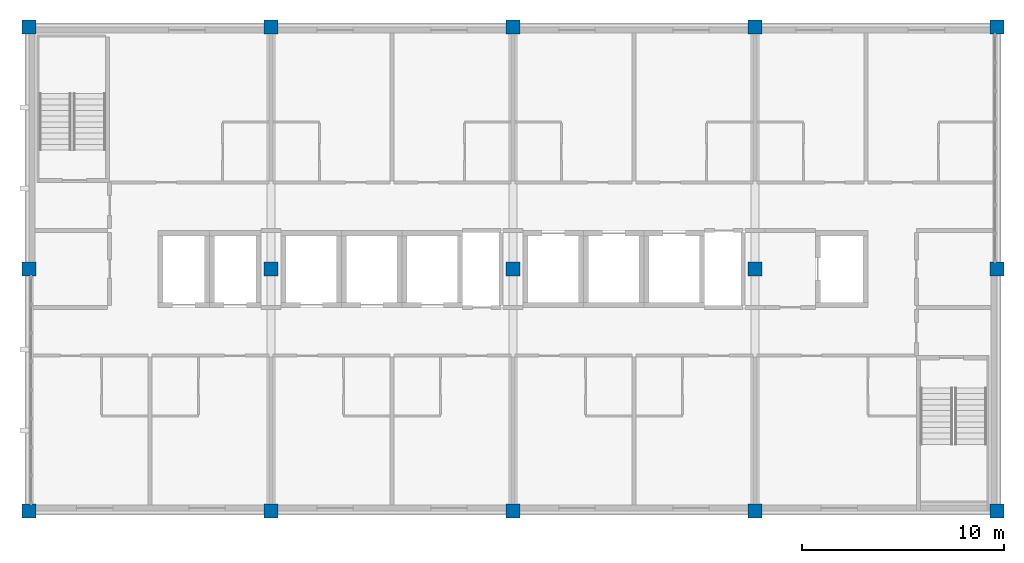
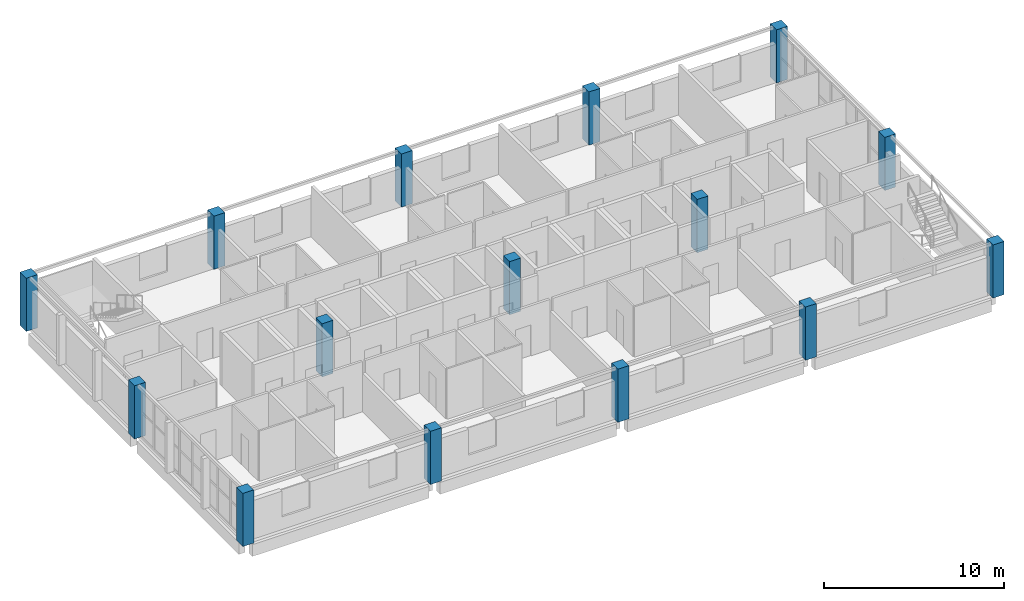
# One storey, part 1 of 11: 15 columns.
"""IFC4 building model written with IfcOpenShell, lengths in metres."""

from ifc_helpers import new_model, si_unit, direction, frame, origin, origin_2d, place, context, subcontext, project, spatial, rectangle, extrude, material, material_profile, profile_set, type_object, element, save


model = new_model("IFC4")

# Units and contexts
model_context = context("Model", 3, precision=1e-05, world=origin(), true_north=direction((0.0, 1.0)))
body_context = subcontext(model_context, "Body", "Model", "MODEL_VIEW")
ifc_project = project(units=[si_unit("LENGTHUNIT", "METRE"), si_unit("AREAUNIT", "SQUARE_METRE"), si_unit("VOLUMEUNIT", "CUBIC_METRE"), si_unit("PLANEANGLEUNIT", "RADIAN"), si_unit("MASSUNIT", "GRAM", prefix="KILO")], contexts=[model_context])

# Site, building, storey
site_placement = place(None, origin())
site = spatial("IfcSite", under=ifc_project, at=site_placement, CompositionType="ELEMENT")
building_placement = place(site_placement, origin())
building = spatial("IfcBuilding", under=site, at=building_placement, Name="Lilac Gate Convention Centre", CompositionType="ELEMENT")
storey_placement = place(building_placement, frame((0.0, 0.0, 64.199951171875)))
storey = spatial("IfcBuildingStorey", under=building, at=storey_placement, Name="L16", CompositionType="ELEMENT", Elevation=64.199951171875)

# Columns
ifc_material = material(Name="Concrete C40", Category="concrete")
ifc_material_profile = material_profile(ifc_material, rectangle(XDim=0.699951171875, YDim=0.699951171875, at=origin_2d()), Name="RC 700x700")
ifc_profile_set = profile_set([ifc_material_profile], Name="Concrete C40")
column_type = type_object("IfcColumnType", Name="RC tower column 700x700 C40", PredefinedType="COLUMN", material=ifc_profile_set)
for number, where, z_axis, x_axis, name in (
    (1, (42.0, 222.0, 0.0), (0.0, 0.0, 1.0), (1.0, 0.0, 0.0), "C7 L16 at 4/S"),
    (2, (42.0, 234.0, 0.0), (0.0, 0.0, 1.0), (1.0, 0.0, 0.0), "C7 L16 at 4/T"),
    (3, (42.0, 246.0, 0.0), (0.0, 0.0, 1.0), (1.0, 0.0, 0.0), "C7 L16 at 4/U"),
    (4, (54.0, 222.0, 0.0), (0.0, 0.0, 1.0), (1.0, 0.0, 0.0), "C7 L16 at 5/S"),
    (5, (54.0, 234.0, 0.0), (0.0, 0.0, 1.0), (1.0, 0.0, 0.0), "C7 L16 at 5/T"),
    (6, (54.0, 246.0, 0.0), (0.0, 0.0, 1.0), (1.0, 0.0, 0.0), "C7 L16 at 5/U"),
    (7, (66.0, 222.0, 0.0), (0.0, 0.0, 1.0), (1.0, 0.0, 0.0), "C7 L16 at 6/S"),
    (8, (66.0, 234.0, 0.0), (0.0, 0.0, 1.0), (1.0, 0.0, 0.0), "C7 L16 at 6/T"),
    (9, (66.0, 246.0, 0.0), (0.0, 0.0, 1.0), (1.0, 0.0, 0.0), "C7 L16 at 6/U"),
    (10, (78.0, 222.0, 0.0), (0.0, 0.0, 1.0), (1.0, 0.0, 0.0), "C7 L16 at 7/S"),
    (11, (78.0, 234.0, 0.0), (0.0, 0.0, 1.0), (1.0, 0.0, 0.0), "C7 L16 at 7/T"),
    (12, (78.0, 246.0, 0.0), (0.0, 0.0, 1.0), (1.0, 0.0, 0.0), "C7 L16 at 7/U"),
    (13, (90.0, 222.0, 0.0), (0.0, 0.0, 1.0), (1.0, 0.0, 0.0), "C7 L16 at 8/S"),
    (14, (90.0, 234.0, 0.0), (0.0, 0.0, 1.0), (1.0, 0.0, 0.0), "C7 L16 at 8/T"),
    (15, (90.0, 246.0, 0.0), (0.0, 0.0, 1.0), (1.0, 0.0, 0.0), "C7 L16 at 8/U"),
):
    element("IfcColumn", number, at=place(storey_placement, frame(where, z_axis=z_axis, x_axis=x_axis)), inside=storey, type_object=column_type, Name=name, PredefinedType="COLUMN", context=body_context, shape_type="SweptSolid", body=[
        extrude(rectangle(XDim=0.699951171875, YDim=0.699951171875, at=origin_2d()), origin(), (0.0, 0.0, 1.0), 3.60009765625),
    ])

save(model, "model.ifc")
